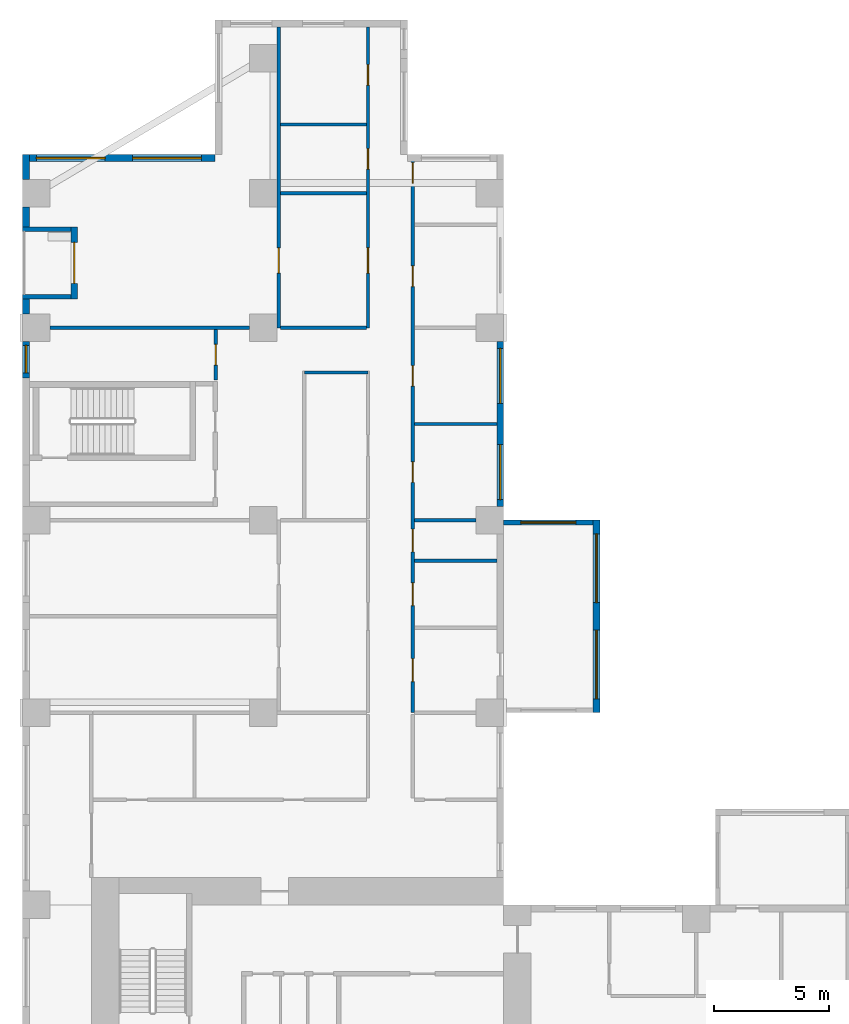
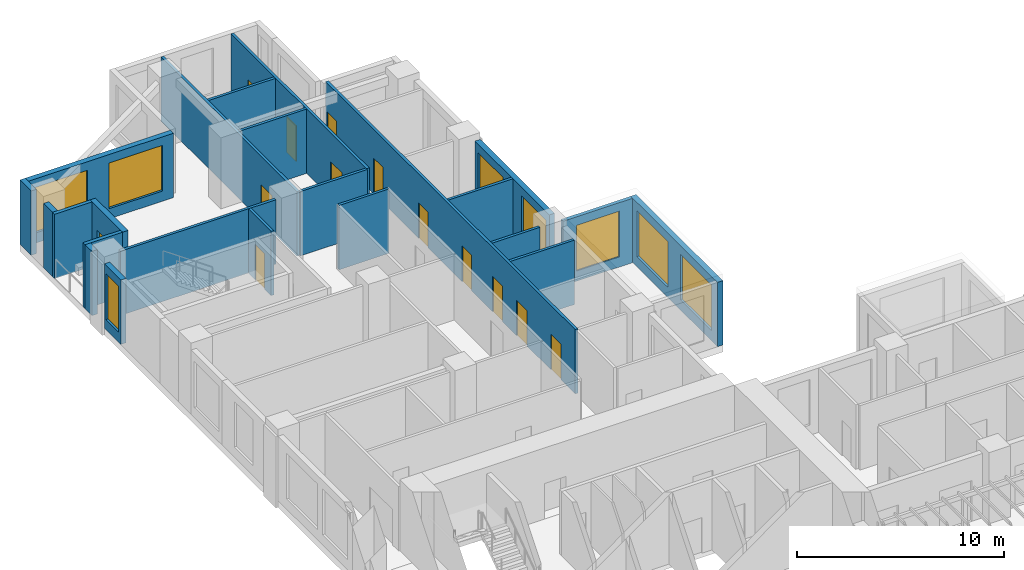
# One storey, part 9 of 16: 23 walls, 13 doors, 8 windows, 21 openings.
"""IFC4 building model written with IfcOpenShell, lengths in metres."""

from ifc_helpers import new_model, si_unit, direction, frame, frame_2d, origin, place, context, subcontext, project, spatial, rectangle, extrude, source, transform, mapped, material, layer, layer_set, type_object, element, fill, save


model = new_model("IFC4")

# Units and contexts
model_context = context("Model", 3, precision=1e-05, world=origin(), true_north=direction((0.0, 1.0)))
body_context = subcontext(model_context, "Body", "Model", "MODEL_VIEW")
ifc_project = project(units=[si_unit("LENGTHUNIT", "METRE"), si_unit("AREAUNIT", "SQUARE_METRE"), si_unit("VOLUMEUNIT", "CUBIC_METRE"), si_unit("PLANEANGLEUNIT", "RADIAN"), si_unit("MASSUNIT", "GRAM", prefix="KILO")], contexts=[model_context])

# Site, building, storey
site_placement = place(None, origin())
site = spatial("IfcSite", under=ifc_project, at=site_placement, CompositionType="ELEMENT")
building_placement = place(site_placement, origin())
building = spatial("IfcBuilding", under=site, at=building_placement, Name="Aurelian Terraces", CompositionType="ELEMENT")
storey_placement = place(building_placement, frame((0.0, 0.0, 95.1)))
storey = spatial("IfcBuildingStorey", under=building, at=storey_placement, Name="L20", CompositionType="ELEMENT", Elevation=95.1)

# Wall
ifc_material_1 = material(Name="Terracotta rainscreen cladding", Category="masonry")
ifc_layer_1 = layer(ifc_material_1, 0.3)
ifc_layer_set_1 = layer_set([ifc_layer_1], Name="EW-300")
wall_type_1 = type_object("IfcWallType", Name="EW-300", PredefinedType="STANDARD", material=ifc_layer_set_1)
wall_1_placement = place(storey_placement, frame((0.15, 51.48, 0.0), z_axis=(0.0, 0.0, 1.0), x_axis=(0.0, -1.0, 0.0)))
element("IfcWall", 1, at=wall_1_placement, inside=storey, type_object=wall_type_1, Name="External wall L20 F18.36", PredefinedType="STANDARD", context=body_context, shape_type="SweptSolid", body=[
    extrude(rectangle(XDim=0.87, YDim=0.3, at=frame_2d((0.435, 0.0))), origin(), (0.0, 0.0, 1.0), 3.8),
])

# Wall, openings, windows
shared_shape_1 = source(origin(), body_context, "Body", "SweptSolid", [
    extrude(rectangle(XDim=7.2, YDim=0.3, at=frame_2d((3.6, 0.0))), origin(), (0.0, 0.0, 1.0), 3.8),
])
wall_2_placement = place(storey_placement, frame((20.85, 38.4, 0.0), z_axis=(0.0, 0.0, 1.0), x_axis=(0.0, 1.0, 0.0)))
wall_2 = element("IfcWall", 2, at=wall_2_placement, inside=storey, type_object=wall_type_1, Name="External wall L20 F12.27", PredefinedType="STANDARD", context=body_context, shape_type="MappedRepresentation", body=[
    mapped(shared_shape_1, transform((0.0, 0.0, 0.0), scale=1.0)),
])
shared_shape_2 = source(origin(), body_context, "Body", "SweptSolid", [
    extrude(rectangle(XDim=2.4, YDim=2.7, at=frame_2d((1.2, 1.35))), frame((0.0, 0.16, 0.0), z_axis=(0.0, -1.0, 0.0), x_axis=(1.0, 0.0, 0.0)), (0.0, 0.0, 1.0), 0.32),
])
opening_1_placement = place(wall_2_placement, frame((0.3, 0.0, 0.6)))
opening_1 = element("IfcOpeningElement", 3, at=opening_1_placement, cuts=wall_2, Name="Opening W2427", PredefinedType="OPENING", context=body_context, shape_type="MappedRepresentation", body=[
    mapped(shared_shape_2, transform((0.0, 0.0, 0.0), scale=1.0)),
])
opening_2_placement = place(wall_2_placement, frame((4.5, 0.0, 0.6)))
opening_2 = element("IfcOpeningElement", 4, at=opening_2_placement, cuts=wall_2, Name="Opening W2427", PredefinedType="OPENING", context=body_context, shape_type="MappedRepresentation", body=[
    mapped(shared_shape_2, transform((0.0, 0.0, 0.0), scale=1.0)),
])
ifc_material_2 = material(Name="Clear glazing", Category="glass")
window_type_1 = type_object("IfcWindowType", Name="W-2400x2700", PartitioningType="SINGLE_PANEL", PredefinedType="WINDOW", material=ifc_material_2)
shared_shape_3 = source(origin(), body_context, "Body", "SweptSolid", [
    extrude(rectangle(XDim=2.4, YDim=2.7, at=frame_2d((1.2, 1.35))), frame((0.0, 0.03, 0.0), z_axis=(0.0, -1.0, 0.0), x_axis=(1.0, 0.0, 0.0)), (0.0, 0.0, 1.0), 0.06),
])
window_1_placement = place(opening_1_placement, origin())
window_1 = element("IfcWindow", 5, at=window_1_placement, inside=storey, type_object=window_type_1, Name="Window L20 L20-F12-27-0", OverallHeight=2.7, OverallWidth=2.4, PartitioningType="SINGLE_PANEL", PredefinedType="WINDOW", context=body_context, shape_type="MappedRepresentation", body=[
    mapped(shared_shape_3, transform((0.0, 0.0, 0.0), scale=1.0)),
])
fill(opening_1, window_1)
window_2_placement = place(opening_2_placement, origin())
window_2 = element("IfcWindow", 6, at=window_2_placement, inside=storey, type_object=window_type_1, Name="Window L20 L20-F12-27-1", OverallHeight=2.7, OverallWidth=2.4, PartitioningType="SINGLE_PANEL", PredefinedType="WINDOW", context=body_context, shape_type="MappedRepresentation", body=[
    mapped(shared_shape_3, transform((0.0, 0.0, 0.0), scale=1.0)),
])
fill(opening_2, window_2)

# Wall, opening, door
shared_shape_4 = source(origin(), body_context, "Body", "SweptSolid", [
    extrude(rectangle(XDim=3.15, YDim=0.3, at=frame_2d((1.575, 0.0))), origin(), (0.0, 0.0, 1.0), 3.8),
])
wall_3_placement = place(storey_placement, frame((2.25, 50.61, 0.0), z_axis=(0.0, 0.0, 1.0), x_axis=(0.0, -1.0, 0.0)))
wall_3 = element("IfcWall", 7, at=wall_3_placement, inside=storey, type_object=wall_type_1, Name="Loggia wall L20 F18.37", PredefinedType="STANDARD", context=body_context, shape_type="MappedRepresentation", body=[
    mapped(shared_shape_4, transform((0.0, 0.0, 0.0), scale=1.0)),
])
shared_shape_5 = source(origin(), body_context, "Body", "SweptSolid", [
    extrude(rectangle(XDim=1.8, YDim=2.4, at=frame_2d((0.9, 1.2))), frame((0.0, 0.16, 0.0), z_axis=(0.0, -1.0, 0.0), x_axis=(1.0, 0.0, 0.0)), (0.0, 0.0, 1.0), 0.32),
])
opening_3_placement = place(wall_3_placement, frame((0.675, 0.0, 0.0)))
opening_3 = element("IfcOpeningElement", 8, at=opening_3_placement, cuts=wall_3, Name="Opening 82006", PredefinedType="OPENING", context=body_context, shape_type="MappedRepresentation", body=[
    mapped(shared_shape_5, transform((0.0, 0.0, 0.0), scale=1.0)),
])
door_type_1 = type_object("IfcDoorType", Name="BD-1800x2400", OperationType="SLIDING_TO_LEFT", PredefinedType="DOOR", material=ifc_material_2)
shared_shape_6 = source(origin(), body_context, "Body", "SweptSolid", [
    extrude(rectangle(XDim=1.8, YDim=2.4, at=frame_2d((0.9, 1.2))), frame((0.0, 0.025, 0.0), z_axis=(0.0, -1.0, 0.0), x_axis=(1.0, 0.0, 0.0)), (0.0, 0.0, 1.0), 0.05),
])
door_1_placement = place(opening_3_placement, origin())
door_1 = element("IfcDoor", 9, at=door_1_placement, inside=storey, type_object=door_type_1, Name="Balcony door L20 F18.37", OperationType="SLIDING_TO_LEFT", OverallHeight=2.4, OverallWidth=1.8, PredefinedType="DOOR", context=body_context, shape_type="MappedRepresentation", body=[
    mapped(shared_shape_6, transform((0.0, 0.0, 0.0), scale=1.0)),
])
fill(opening_3, door_1)

# Walls
ifc_layer_2 = layer(ifc_material_1, 0.2)
ifc_layer_set_2 = layer_set([ifc_layer_2], Name="EW-200")
wall_type_2 = type_object("IfcWallType", Name="EW-200", PredefinedType="STANDARD", material=ifc_layer_set_2)
shared_shape_7 = source(origin(), body_context, "Body", "SweptSolid", [
    extrude(rectangle(XDim=2.1, YDim=0.2, at=frame_2d((1.05, 0.0))), origin(), (0.0, 0.0, 1.0), 3.8),
])
for number, where, z_axis, x_axis, name in (
    (10, (0.0, 50.51, 0.0), (0.0, 0.0, 1.0), (1.0, 0.0, 0.0), "Loggia return L20 F18.37.1"),
    (11, (0.0, 47.56, 0.0), (0.0, 0.0, 1.0), (1.0, 0.0, 0.0), "Loggia return L20 F18.37.2"),
):
    element("IfcWall", number, at=place(storey_placement, frame(where, z_axis=z_axis, x_axis=x_axis)), inside=storey, type_object=wall_type_2, Name=name, PredefinedType="STANDARD", context=body_context, shape_type="MappedRepresentation", body=[
        mapped(shared_shape_7, transform((0.0, 0.0, 0.0), scale=1.0)),
    ])

# Wall, opening, window
shared_shape_8 = source(origin(), body_context, "Body", "SweptSolid", [
    extrude(rectangle(XDim=1.6, YDim=0.3, at=frame_2d((0.8, 0.0))), origin(), (0.0, 0.0, 1.0), 3.8),
])
wall_4_placement = place(storey_placement, frame((0.15, 45.6, 0.0), z_axis=(0.0, 0.0, 1.0), x_axis=(0.0, -1.0, 0.0)))
wall_4 = element("IfcWall", 12, at=wall_4_placement, inside=storey, type_object=wall_type_1, Name="External wall L20 F18.38", PredefinedType="STANDARD", context=body_context, shape_type="MappedRepresentation", body=[
    mapped(shared_shape_8, transform((0.0, 0.0, 0.0), scale=1.0)),
])
shared_shape_9 = source(origin(), body_context, "Body", "SweptSolid", [
    extrude(rectangle(XDim=1.2, YDim=2.7, at=frame_2d((0.6, 1.35))), frame((0.0, 0.16, 0.0), z_axis=(0.0, -1.0, 0.0), x_axis=(1.0, 0.0, 0.0)), (0.0, 0.0, 1.0), 0.32),
])
opening_4_placement = place(wall_4_placement, frame((0.165, 0.0, 0.6)))
opening_4 = element("IfcOpeningElement", 13, at=opening_4_placement, cuts=wall_4, Name="Opening W1227", PredefinedType="OPENING", context=body_context, shape_type="MappedRepresentation", body=[
    mapped(shared_shape_9, transform((0.0, 0.0, 0.0), scale=1.0)),
])
window_type_2 = type_object("IfcWindowType", Name="W-1200x2700", PartitioningType="SINGLE_PANEL", PredefinedType="WINDOW", material=ifc_material_2)
shared_shape_10 = source(origin(), body_context, "Body", "SweptSolid", [
    extrude(rectangle(XDim=1.2, YDim=2.7, at=frame_2d((0.6, 1.35))), frame((0.0, 0.03, 0.0), z_axis=(0.0, -1.0, 0.0), x_axis=(1.0, 0.0, 0.0)), (0.0, 0.0, 1.0), 0.06),
])
window_3_placement = place(opening_4_placement, origin())
window_3 = element("IfcWindow", 14, at=window_3_placement, inside=storey, type_object=window_type_2, Name="Window L20 L20-F18-38-0", OverallHeight=2.7, OverallWidth=1.2, PartitioningType="SINGLE_PANEL", PredefinedType="WINDOW", context=body_context, shape_type="MappedRepresentation", body=[
    mapped(shared_shape_10, transform((0.0, 0.0, 0.0), scale=1.0)),
])
fill(opening_4, window_3)

# Wall
shared_shape_11 = source(origin(), body_context, "Body", "SweptSolid", [
    extrude(rectangle(XDim=1.08, YDim=0.3, at=frame_2d((0.54, 0.0))), origin(), (0.0, 0.0, 1.0), 3.8),
])
wall_5_placement = place(storey_placement, frame((0.15, 53.76, 0.0), z_axis=(0.0, 0.0, 1.0), x_axis=(0.0, -1.0, 0.0)))
element("IfcWall", 15, at=wall_5_placement, inside=storey, type_object=wall_type_1, Name="External wall L20 F18.36", PredefinedType="STANDARD", context=body_context, shape_type="MappedRepresentation", body=[
    mapped(shared_shape_11, transform((0.0, 0.0, 0.0), scale=1.0)),
])

# Wall, opening, window
ifc_material_3 = material(Name="Concrete fc' 40 MPa", Category="concrete")
ifc_layer_3 = layer(ifc_material_3, 0.2)
ifc_layer_set_3 = layer_set([ifc_layer_3], Name="BOX BEARING WALL 200")
wall_type_3 = type_object("IfcWallType", Name="BOX BEARING WALL 200", PredefinedType="SOLIDWALL", material=ifc_layer_set_3)
shared_shape_12 = source(origin(), body_context, "Body", "SweptSolid", [
    extrude(rectangle(XDim=3.9, YDim=0.2, at=frame_2d((1.95, 0.0))), origin(), (0.0, 0.0, 1.0), 3.8),
])
wall_6_placement = place(storey_placement, frame((21.0, 37.7, 0.0), z_axis=(0.0, 0.0, 1.0), x_axis=(1.0, 0.0, 0.0)))
wall_6 = element("IfcWall", 16, at=wall_6_placement, inside=storey, type_object=wall_type_3, Name="Box return L20 J27.2", PredefinedType="SOLIDWALL", context=body_context, shape_type="MappedRepresentation", body=[
    mapped(shared_shape_12, transform((0.0, 0.0, 0.0), scale=1.0)),
])
shared_shape_13 = source(origin(), body_context, "Body", "SweptSolid", [
    extrude(rectangle(XDim=2.4, YDim=2.7, at=frame_2d((1.2, 1.35))), frame((0.0, 0.11, 0.0), z_axis=(0.0, -1.0, 0.0), x_axis=(1.0, 0.0, 0.0)), (0.0, 0.0, 1.0), 0.22),
])
opening_5_placement = place(wall_6_placement, frame((0.75, 0.0, 0.6)))
opening_5 = element("IfcOpeningElement", 17, at=opening_5_placement, cuts=wall_6, Name="Opening W2427", PredefinedType="OPENING", context=body_context, shape_type="MappedRepresentation", body=[
    mapped(shared_shape_13, transform((0.0, 0.0, 0.0), scale=1.0)),
])
window_4_placement = place(opening_5_placement, origin())
window_4 = element("IfcWindow", 18, at=window_4_placement, inside=storey, type_object=window_type_1, Name="Window L20 J27-S2", OverallHeight=2.7, OverallWidth=2.4, PartitioningType="SINGLE_PANEL", PredefinedType="WINDOW", context=body_context, shape_type="MappedRepresentation", body=[
    mapped(shared_shape_3, transform((0.0, 0.0, 0.0), scale=1.0)),
])
fill(opening_5, window_4)

# Wall, openings, windows
ifc_layer_4 = layer(ifc_material_3, 0.3)
ifc_layer_set_4 = layer_set([ifc_layer_4], Name="BOX BEARING WALL 300")
wall_type_4 = type_object("IfcWallType", Name="BOX BEARING WALL 300", PredefinedType="SOLIDWALL", material=ifc_layer_set_4)
shared_shape_14 = source(origin(), body_context, "Body", "SweptSolid", [
    extrude(rectangle(XDim=8.4, YDim=0.3, at=frame_2d((4.2, 0.0))), origin(), (0.0, 0.0, 1.0), 3.8),
])
wall_7_placement = place(storey_placement, frame((25.05, 29.4, 0.0), z_axis=(0.0, 0.0, 1.0), x_axis=(0.0, 1.0, 0.0)))
wall_7 = element("IfcWall", 19, at=wall_7_placement, inside=storey, type_object=wall_type_4, Name="Box wall L20 J27", PredefinedType="SOLIDWALL", context=body_context, shape_type="MappedRepresentation", body=[
    mapped(shared_shape_14, transform((0.0, 0.0, 0.0), scale=1.0)),
])
shared_shape_15 = source(origin(), body_context, "Body", "SweptSolid", [
    extrude(rectangle(XDim=3.0, YDim=2.7, at=frame_2d((1.5, 1.35))), frame((0.0, 0.16, 0.0), z_axis=(0.0, -1.0, 0.0), x_axis=(1.0, 0.0, 0.0)), (0.0, 0.0, 1.0), 0.32),
])
opening_6_placement = place(wall_7_placement, frame((0.6, 0.0, 0.6)))
opening_6 = element("IfcOpeningElement", 20, at=opening_6_placement, cuts=wall_7, Name="Opening W3027", PredefinedType="OPENING", context=body_context, shape_type="MappedRepresentation", body=[
    mapped(shared_shape_15, transform((0.0, 0.0, 0.0), scale=1.0)),
])
opening_7_placement = place(wall_7_placement, frame((4.8, 0.0, 0.6)))
opening_7 = element("IfcOpeningElement", 21, at=opening_7_placement, cuts=wall_7, Name="Opening W3027", PredefinedType="OPENING", context=body_context, shape_type="MappedRepresentation", body=[
    mapped(shared_shape_15, transform((0.0, 0.0, 0.0), scale=1.0)),
])
window_type_3 = type_object("IfcWindowType", Name="W-3000x2700", PartitioningType="SINGLE_PANEL", PredefinedType="WINDOW", material=ifc_material_2)
shared_shape_16 = source(origin(), body_context, "Body", "SweptSolid", [
    extrude(rectangle(XDim=3.0, YDim=2.7, at=frame_2d((1.5, 1.35))), frame((0.0, 0.03, 0.0), z_axis=(0.0, -1.0, 0.0), x_axis=(1.0, 0.0, 0.0)), (0.0, 0.0, 1.0), 0.06),
])
window_5_placement = place(opening_6_placement, origin())
window_5 = element("IfcWindow", 22, at=window_5_placement, inside=storey, type_object=window_type_3, Name="Window L20 J27-F1", OverallHeight=2.7, OverallWidth=3.0, PartitioningType="SINGLE_PANEL", PredefinedType="WINDOW", context=body_context, shape_type="MappedRepresentation", body=[
    mapped(shared_shape_16, transform((0.0, 0.0, 0.0), scale=1.0)),
])
fill(opening_6, window_5)
window_6_placement = place(opening_7_placement, origin())
window_6 = element("IfcWindow", 23, at=window_6_placement, inside=storey, type_object=window_type_3, Name="Window L20 J27-F2", OverallHeight=2.7, OverallWidth=3.0, PartitioningType="SINGLE_PANEL", PredefinedType="WINDOW", context=body_context, shape_type="MappedRepresentation", body=[
    mapped(shared_shape_16, transform((0.0, 0.0, 0.0), scale=1.0)),
])
fill(opening_7, window_6)

shared_shape_17 = source(origin(), body_context, "Body", "SweptSolid", [
    extrude(rectangle(XDim=8.4, YDim=0.3, at=frame_2d((4.2, 0.0))), origin(), (0.0, 0.0, 1.0), 3.8),
])
wall_8_placement = place(storey_placement, frame((8.4, 53.61, 0.0), z_axis=(0.0, 0.0, 1.0), x_axis=(-1.0, 0.0, 0.0)))
wall_8 = element("IfcWall", 24, at=wall_8_placement, inside=storey, type_object=wall_type_1, Name="External wall L20 F17.35", PredefinedType="STANDARD", context=body_context, shape_type="MappedRepresentation", body=[
    mapped(shared_shape_17, transform((0.0, 0.0, 0.0), scale=1.0)),
])
opening_8_placement = place(wall_8_placement, frame((0.6, 0.0, 0.6)))
opening_8 = element("IfcOpeningElement", 25, at=opening_8_placement, cuts=wall_8, Name="Opening W3027", PredefinedType="OPENING", context=body_context, shape_type="MappedRepresentation", body=[
    mapped(shared_shape_15, transform((0.0, 0.0, 0.0), scale=1.0)),
])
opening_9_placement = place(wall_8_placement, frame((4.8, 0.0, 0.6)))
opening_9 = element("IfcOpeningElement", 26, at=opening_9_placement, cuts=wall_8, Name="Opening W3027", PredefinedType="OPENING", context=body_context, shape_type="MappedRepresentation", body=[
    mapped(shared_shape_15, transform((0.0, 0.0, 0.0), scale=1.0)),
])
window_7_placement = place(opening_8_placement, origin())
window_7 = element("IfcWindow", 27, at=window_7_placement, inside=storey, type_object=window_type_3, Name="Window L20 L20-F17-35-0", OverallHeight=2.7, OverallWidth=3.0, PartitioningType="SINGLE_PANEL", PredefinedType="WINDOW", context=body_context, shape_type="MappedRepresentation", body=[
    mapped(shared_shape_16, transform((0.0, 0.0, 0.0), scale=1.0)),
])
fill(opening_8, window_7)
window_8_placement = place(opening_9_placement, origin())
window_8 = element("IfcWindow", 28, at=window_8_placement, inside=storey, type_object=window_type_3, Name="Window L20 L20-F17-35-1", OverallHeight=2.7, OverallWidth=3.0, PartitioningType="SINGLE_PANEL", PredefinedType="WINDOW", context=body_context, shape_type="MappedRepresentation", body=[
    mapped(shared_shape_16, transform((0.0, 0.0, 0.0), scale=1.0)),
])
fill(opening_9, window_8)

# Walls
shared_shape_18 = source(origin(), body_context, "Body", "SweptSolid", [
    extrude(rectangle(XDim=0.66, YDim=0.3, at=frame_2d((0.33, 0.0))), origin(), (0.0, 0.0, 1.0), 3.8),
])
wall_9_placement = place(storey_placement, frame((0.15, 47.46, 0.0), z_axis=(0.0, 0.0, 1.0), x_axis=(0.0, -1.0, 0.0)))
element("IfcWall", 29, at=wall_9_placement, inside=storey, type_object=wall_type_1, Name="External wall L20 F18.38", PredefinedType="STANDARD", context=body_context, shape_type="MappedRepresentation", body=[
    mapped(shared_shape_18, transform((0.0, 0.0, 0.0), scale=1.0)),
])
ifc_material_4 = material(Name="Gypsum board on steel studs", Category="steel")
ifc_layer_5 = layer(ifc_material_4, 0.15)
ifc_layer_set_5 = layer_set([ifc_layer_5], Name="Partition 150")
wall_type_5 = type_object("IfcWallType", Name="Partition 150", PredefinedType="PARTITIONING", material=ifc_layer_set_5)
shared_shape_19 = source(origin(), body_context, "Body", "SweptSolid", [
    extrude(rectangle(XDim=3.75, YDim=0.15, at=frame_2d((1.875, 0.0))), origin(), (0.0, 0.0, 1.0), 3.8),
])
for number, where, z_axis, x_axis, name in (
    (30, (15.0, 52.08, 0.0), (0.0, 0.0, 1.0), (-1.0, 0.0, 0.0), "Partition"),
    (31, (15.0, 55.0768, 0.0), (0.0, 0.0, 1.0), (-1.0, 0.0, 0.0), "Partition"),
    (32, (15.0, 46.2, 0.0), (0.0, 0.0, 1.0), (-1.0, 0.0, 0.0), "Partition"),
):
    element("IfcWall", number, at=place(storey_placement, frame(where, z_axis=z_axis, x_axis=x_axis)), inside=storey, type_object=wall_type_5, Name=name, PredefinedType="PARTITIONING", context=body_context, shape_type="MappedRepresentation", body=[
        mapped(shared_shape_19, transform((0.0, 0.0, 0.0), scale=1.0)),
    ])
shared_shape_20 = source(origin(), body_context, "Body", "SweptSolid", [
    extrude(rectangle(XDim=8.702, YDim=0.15, at=frame_2d((4.351, 0.0))), origin(), (0.0, 0.0, 1.0), 3.8),
])
wall_10_placement = place(storey_placement, frame((9.901, 46.2, 0.0), z_axis=(0.0, 0.0, 1.0), x_axis=(-1.0, 0.0, 0.0)))
element("IfcWall", 33, at=wall_10_placement, inside=storey, type_object=wall_type_5, Name="Partition", PredefinedType="PARTITIONING", context=body_context, shape_type="MappedRepresentation", body=[
    mapped(shared_shape_20, transform((0.0, 0.0, 0.0), scale=1.0)),
])
shared_shape_21 = source(origin(), body_context, "Body", "SweptSolid", [
    extrude(rectangle(XDim=3.6, YDim=0.15, at=frame_2d((1.8, 0.0))), origin(), (0.0, 0.0, 1.0), 3.8),
])
for number, where, z_axis, x_axis, name in (
    (34, (17.1, 36.024, 0.0), (0.0, 0.0, 1.0), (1.0, 0.0, 0.0), "Partition"),
    (35, (17.1, 42.0, 0.0), (0.0, 0.0, 1.0), (1.0, 0.0, 0.0), "Partition"),
):
    element("IfcWall", number, at=place(storey_placement, frame(where, z_axis=z_axis, x_axis=x_axis)), inside=storey, type_object=wall_type_5, Name=name, PredefinedType="PARTITIONING", context=body_context, shape_type="MappedRepresentation", body=[
        mapped(shared_shape_21, transform((0.0, 0.0, 0.0), scale=1.0)),
    ])
shared_shape_22 = source(origin(), body_context, "Body", "SweptSolid", [
    extrude(rectangle(XDim=2.701, YDim=0.15, at=frame_2d((1.3505, 0.0))), origin(), (0.0, 0.0, 1.0), 3.8),
])
wall_11_placement = place(storey_placement, frame((19.801, 37.8, 0.0), z_axis=(0.0, 0.0, 1.0), x_axis=(-1.0, 0.0, 0.0)))
element("IfcWall", 36, at=wall_11_placement, inside=storey, type_object=wall_type_5, Name="Partition", PredefinedType="PARTITIONING", context=body_context, shape_type="MappedRepresentation", body=[
    mapped(shared_shape_22, transform((0.0, 0.0, 0.0), scale=1.0)),
])

# Wall, opening, door
shared_shape_23 = source(origin(), body_context, "Body", "SweptSolid", [
    extrude(rectangle(XDim=2.2, YDim=0.15, at=frame_2d((1.1, 0.0))), origin(), (0.0, 0.0, 1.0), 3.8),
])
wall_12_placement = place(storey_placement, frame((8.425, 43.925, 0.0), z_axis=(0.0, 0.0, 1.0), x_axis=(0.0, 1.0, 0.0)))
wall_12 = element("IfcWall", 37, at=wall_12_placement, inside=storey, type_object=wall_type_5, Name="Partition", PredefinedType="PARTITIONING", context=body_context, shape_type="MappedRepresentation", body=[
    mapped(shared_shape_23, transform((0.0, 0.0, 0.0), scale=1.0)),
])
shared_shape_24 = source(origin(), body_context, "Body", "SweptSolid", [
    extrude(rectangle(XDim=0.9, YDim=2.1, at=frame_2d((0.45, 1.05))), frame((0.0, 0.085, 0.0), z_axis=(0.0, -1.0, 0.0), x_axis=(1.0, 0.0, 0.0)), (0.0, 0.0, 1.0), 0.17),
])
opening_10_placement = place(wall_12_placement, frame((0.65, 0.0, 0.0)))
opening_10 = element("IfcOpeningElement", 38, at=opening_10_placement, cuts=wall_12, Name="Opening 720029", PredefinedType="OPENING", context=body_context, shape_type="MappedRepresentation", body=[
    mapped(shared_shape_24, transform((0.0, 0.0, 0.0), scale=1.0)),
])
ifc_material_5 = material(Name="Timber door leaf", Category="wood")
door_type_2 = type_object("IfcDoorType", Name="Room door 900x2100 left", OperationType="SINGLE_SWING_LEFT", PredefinedType="DOOR", material=ifc_material_5)
shared_shape_25 = source(origin(), body_context, "Body", "SweptSolid", [
    extrude(rectangle(XDim=0.9, YDim=2.1, at=frame_2d((0.45, 1.05))), frame((0.0, 0.025, 0.0), z_axis=(0.0, -1.0, 0.0), x_axis=(1.0, 0.0, 0.0)), (0.0, 0.0, 1.0), 0.05),
])
door_2_placement = place(opening_10_placement, origin())
door_2 = element("IfcDoor", 39, at=door_2_placement, inside=storey, type_object=door_type_2, Name="Door 720029", OperationType="SINGLE_SWING_LEFT", OverallHeight=2.1, OverallWidth=0.9, PredefinedType="DOOR", context=body_context, shape_type="MappedRepresentation", body=[
    mapped(shared_shape_25, transform((0.0, 0.0, 0.0), scale=1.0)),
])
fill(opening_10, door_2)

# Wall
shared_shape_26 = source(origin(), body_context, "Body", "SweptSolid", [
    extrude(rectangle(XDim=2.775, YDim=0.15, at=frame_2d((1.3875, 0.0))), origin(), (0.0, 0.0, 1.0), 3.8),
])
wall_13_placement = place(storey_placement, frame((15.075, 44.25, 0.0), z_axis=(0.0, 0.0, 1.0), x_axis=(-1.0, 0.0, 0.0)))
element("IfcWall", 40, at=wall_13_placement, inside=storey, type_object=wall_type_5, Name="Partition", PredefinedType="PARTITIONING", context=body_context, shape_type="MappedRepresentation", body=[
    mapped(shared_shape_26, transform((0.0, 0.0, 0.0), scale=1.0)),
])

# Wall, opening, door
shared_shape_27 = source(origin(), body_context, "Body", "SweptSolid", [
    extrude(rectangle(XDim=13.14, YDim=0.15, at=frame_2d((6.57, 0.0))), origin(), (0.0, 0.0, 1.0), 3.8),
])
wall_14_placement = place(storey_placement, frame((11.175, 46.2, 0.0), z_axis=(0.0, 0.0, 1.0), x_axis=(0.0, 1.0, 0.0)))
wall_14 = element("IfcWall", 41, at=wall_14_placement, inside=storey, type_object=wall_type_5, Name="Partition", PredefinedType="PARTITIONING", context=body_context, shape_type="MappedRepresentation", body=[
    mapped(shared_shape_27, transform((0.0, 0.0, 0.0), scale=1.0)),
])
shared_shape_28 = source(origin(), body_context, "Body", "SweptSolid", [
    extrude(rectangle(XDim=1.1, YDim=2.1, at=frame_2d((0.55, 1.05))), frame((0.0, 0.085, 0.0), z_axis=(0.0, -1.0, 0.0), x_axis=(1.0, 0.0, 0.0)), (0.0, 0.0, 1.0), 0.17),
])
opening_11_placement = place(wall_14_placement, frame((2.3875, 0.0, 0.0)))
opening_11 = element("IfcOpeningElement", 42, at=opening_11_placement, cuts=wall_14, Name="Opening 720034", PredefinedType="OPENING", context=body_context, shape_type="MappedRepresentation", body=[
    mapped(shared_shape_28, transform((0.0, 0.0, 0.0), scale=1.0)),
])
door_type_3 = type_object("IfcDoorType", Name="Room door 1100x2100 left", OperationType="SINGLE_SWING_LEFT", PredefinedType="DOOR", material=ifc_material_5)
shared_shape_29 = source(origin(), body_context, "Body", "SweptSolid", [
    extrude(rectangle(XDim=1.1, YDim=2.1, at=frame_2d((0.55, 1.05))), frame((0.0, 0.025, 0.0), z_axis=(0.0, -1.0, 0.0), x_axis=(1.0, 0.0, 0.0)), (0.0, 0.0, 1.0), 0.05),
])
door_3_placement = place(opening_11_placement, origin())
door_3 = element("IfcDoor", 43, at=door_3_placement, inside=storey, type_object=door_type_3, Name="Door 720034", OperationType="SINGLE_SWING_LEFT", OverallHeight=2.1, OverallWidth=1.1, PredefinedType="DOOR", context=body_context, shape_type="MappedRepresentation", body=[
    mapped(shared_shape_29, transform((0.0, 0.0, 0.0), scale=1.0)),
])
fill(opening_11, door_3)

# Wall, openings, doors
ifc_layer_6 = layer(ifc_material_4, 0.15)
ifc_layer_set_6 = layer_set([ifc_layer_6], Name="Fire partition 150")
wall_type_6 = type_object("IfcWallType", Name="Fire partition 150", PredefinedType="PARTITIONING", material=ifc_layer_set_6)
wall_15_placement = place(storey_placement, frame((15.075, 46.2, 0.0), z_axis=(0.0, 0.0, 1.0), x_axis=(0.0, 1.0, 0.0)))
wall_15 = element("IfcWall", 44, at=wall_15_placement, inside=storey, type_object=wall_type_6, Name="Corridor wall", PredefinedType="PARTITIONING", context=body_context, shape_type="MappedRepresentation", body=[
    mapped(shared_shape_27, transform((0.0, 0.0, 0.0), scale=1.0)),
])
opening_12_placement = place(wall_15_placement, frame((2.39, 0.0, 0.0)))
opening_12 = element("IfcOpeningElement", 45, at=opening_12_placement, cuts=wall_15, Name="Opening 720033", PredefinedType="OPENING", context=body_context, shape_type="MappedRepresentation", body=[
    mapped(shared_shape_28, transform((0.0, 0.0, 0.0), scale=1.0)),
])
opening_13_placement = place(wall_15_placement, frame((6.9284, 0.0, 0.0)))
opening_13 = element("IfcOpeningElement", 46, at=opening_13_placement, cuts=wall_15, Name="Opening 720035", PredefinedType="OPENING", context=body_context, shape_type="MappedRepresentation", body=[
    mapped(shared_shape_24, transform((0.0, 0.0, 0.0), scale=1.0)),
])
opening_14_placement = place(wall_15_placement, frame((10.5959, 0.0, 0.0)))
opening_14 = element("IfcOpeningElement", 47, at=opening_14_placement, cuts=wall_15, Name="Opening 720036", PredefinedType="OPENING", context=body_context, shape_type="MappedRepresentation", body=[
    mapped(shared_shape_24, transform((0.0, 0.0, 0.0), scale=1.0)),
])
door_type_4 = type_object("IfcDoorType", Name="Room door 900x2100 right", OperationType="SINGLE_SWING_RIGHT", PredefinedType="DOOR", material=ifc_material_5)
door_4_placement = place(opening_13_placement, origin())
door_4 = element("IfcDoor", 48, at=door_4_placement, inside=storey, type_object=door_type_4, Name="Door 720035", OperationType="SINGLE_SWING_RIGHT", OverallHeight=2.1, OverallWidth=0.9, PredefinedType="DOOR", context=body_context, shape_type="MappedRepresentation", body=[
    mapped(shared_shape_25, transform((0.0, 0.0, 0.0), scale=1.0)),
])
fill(opening_13, door_4)
door_5_placement = place(opening_14_placement, origin())
door_5 = element("IfcDoor", 49, at=door_5_placement, inside=storey, type_object=door_type_2, Name="Door 720036", OperationType="SINGLE_SWING_LEFT", OverallHeight=2.1, OverallWidth=0.9, PredefinedType="DOOR", context=body_context, shape_type="MappedRepresentation", body=[
    mapped(shared_shape_25, transform((0.0, 0.0, 0.0), scale=1.0)),
])
fill(opening_14, door_5)
door_type_5 = type_object("IfcDoorType", Name="Room door 1100x2100 right", OperationType="SINGLE_SWING_RIGHT", PredefinedType="DOOR", material=ifc_material_5)
door_6_placement = place(opening_12_placement, origin())
door_6 = element("IfcDoor", 50, at=door_6_placement, inside=storey, type_object=door_type_5, Name="Door 720033", OperationType="SINGLE_SWING_RIGHT", OverallHeight=2.1, OverallWidth=1.1, PredefinedType="DOOR", context=body_context, shape_type="MappedRepresentation", body=[
    mapped(shared_shape_29, transform((0.0, 0.0, 0.0), scale=1.0)),
])
fill(opening_12, door_6)

shared_shape_30 = source(origin(), body_context, "Body", "SweptSolid", [
    extrude(rectangle(XDim=24.155, YDim=0.15, at=frame_2d((12.0775, 0.0))), origin(), (0.0, 0.0, 1.0), 3.8),
])
wall_16_placement = place(storey_placement, frame((17.025, 53.555, 0.0), z_axis=(0.0, 0.0, 1.0), x_axis=(0.0, -1.0, 0.0)))
wall_16 = element("IfcWall", 51, at=wall_16_placement, inside=storey, type_object=wall_type_6, Name="Corridor wall", PredefinedType="PARTITIONING", context=body_context, shape_type="MappedRepresentation", body=[
    mapped(shared_shape_30, transform((0.0, 0.0, 0.0), scale=1.0)),
])
shared_shape_31 = source(origin(), body_context, "Body", "SweptSolid", [
    extrude(rectangle(XDim=1.0, YDim=2.1, at=frame_2d((0.5, 1.05))), frame((0.0, 0.085, 0.0), z_axis=(0.0, -1.0, 0.0), x_axis=(1.0, 0.0, 0.0)), (0.0, 0.0, 1.0), 0.17),
])
opening_15_placement = place(wall_16_placement, frame((21.7983, 0.0, 0.0)))
opening_15 = element("IfcOpeningElement", 52, at=opening_15_placement, cuts=wall_16, Name="Opening 720037", PredefinedType="OPENING", context=body_context, shape_type="MappedRepresentation", body=[
    mapped(shared_shape_31, transform((0.0, 0.0, 0.0), scale=1.0)),
])
opening_16_placement = place(wall_16_placement, frame((18.4864, 0.0, 0.0)))
opening_16 = element("IfcOpeningElement", 53, at=opening_16_placement, cuts=wall_16, Name="Opening 720038", PredefinedType="OPENING", context=body_context, shape_type="MappedRepresentation", body=[
    mapped(shared_shape_31, transform((0.0, 0.0, 0.0), scale=1.0)),
])
opening_17_placement = place(wall_16_placement, frame((16.143, 0.0, 0.0)))
opening_17 = element("IfcOpeningElement", 54, at=opening_17_placement, cuts=wall_16, Name="Opening 720039", PredefinedType="OPENING", context=body_context, shape_type="MappedRepresentation", body=[
    mapped(shared_shape_31, transform((0.0, 0.0, 0.0), scale=1.0)),
])
opening_18_placement = place(wall_16_placement, frame((13.205, 0.0, 0.0)))
opening_18 = element("IfcOpeningElement", 55, at=opening_18_placement, cuts=wall_16, Name="Opening 720040", PredefinedType="OPENING", context=body_context, shape_type="MappedRepresentation", body=[
    mapped(shared_shape_24, transform((0.0, 0.0, 0.0), scale=1.0)),
])
opening_19_placement = place(wall_16_placement, frame((9.005, 0.0, 0.0)))
opening_19 = element("IfcOpeningElement", 56, at=opening_19_placement, cuts=wall_16, Name="Opening 720041", PredefinedType="OPENING", context=body_context, shape_type="MappedRepresentation", body=[
    mapped(shared_shape_24, transform((0.0, 0.0, 0.0), scale=1.0)),
])
opening_20_placement = place(wall_16_placement, frame((4.6512, 0.0, 0.0)))
opening_20 = element("IfcOpeningElement", 57, at=opening_20_placement, cuts=wall_16, Name="Opening 720042", PredefinedType="OPENING", context=body_context, shape_type="MappedRepresentation", body=[
    mapped(shared_shape_24, transform((0.0, 0.0, 0.0), scale=1.0)),
])
opening_21_placement = place(wall_16_placement, frame((0.1438, 0.0, 0.0)))
opening_21 = element("IfcOpeningElement", 58, at=opening_21_placement, cuts=wall_16, Name="Opening 720043", PredefinedType="OPENING", context=body_context, shape_type="MappedRepresentation", body=[
    mapped(shared_shape_24, transform((0.0, 0.0, 0.0), scale=1.0)),
])
door_type_6 = type_object("IfcDoorType", Name="Room door 1000x2100 right", OperationType="SINGLE_SWING_RIGHT", PredefinedType="DOOR", material=ifc_material_5)
shared_shape_32 = source(origin(), body_context, "Body", "SweptSolid", [
    extrude(rectangle(XDim=1.0, YDim=2.1, at=frame_2d((0.5, 1.05))), frame((0.0, 0.025, 0.0), z_axis=(0.0, -1.0, 0.0), x_axis=(1.0, 0.0, 0.0)), (0.0, 0.0, 1.0), 0.05),
])
door_7_placement = place(opening_15_placement, origin())
door_7 = element("IfcDoor", 59, at=door_7_placement, inside=storey, type_object=door_type_6, Name="Door 720037", OperationType="SINGLE_SWING_RIGHT", OverallHeight=2.1, OverallWidth=1.0, PredefinedType="DOOR", context=body_context, shape_type="MappedRepresentation", body=[
    mapped(shared_shape_32, transform((0.0, 0.0, 0.0), scale=1.0)),
])
fill(opening_15, door_7)
door_type_7 = type_object("IfcDoorType", Name="Room door 1000x2100 left", OperationType="SINGLE_SWING_LEFT", PredefinedType="DOOR", material=ifc_material_5)
door_8_placement = place(opening_16_placement, origin())
door_8 = element("IfcDoor", 60, at=door_8_placement, inside=storey, type_object=door_type_7, Name="Door 720038", OperationType="SINGLE_SWING_LEFT", OverallHeight=2.1, OverallWidth=1.0, PredefinedType="DOOR", context=body_context, shape_type="MappedRepresentation", body=[
    mapped(shared_shape_32, transform((0.0, 0.0, 0.0), scale=1.0)),
])
fill(opening_16, door_8)
door_9_placement = place(opening_17_placement, origin())
door_9 = element("IfcDoor", 61, at=door_9_placement, inside=storey, type_object=door_type_6, Name="Door 720039", OperationType="SINGLE_SWING_RIGHT", OverallHeight=2.1, OverallWidth=1.0, PredefinedType="DOOR", context=body_context, shape_type="MappedRepresentation", body=[
    mapped(shared_shape_32, transform((0.0, 0.0, 0.0), scale=1.0)),
])
fill(opening_17, door_9)
door_10_placement = place(opening_18_placement, origin())
door_10 = element("IfcDoor", 62, at=door_10_placement, inside=storey, type_object=door_type_4, Name="Door 720040", OperationType="SINGLE_SWING_RIGHT", OverallHeight=2.1, OverallWidth=0.9, PredefinedType="DOOR", context=body_context, shape_type="MappedRepresentation", body=[
    mapped(shared_shape_25, transform((0.0, 0.0, 0.0), scale=1.0)),
])
fill(opening_18, door_10)
door_11_placement = place(opening_19_placement, origin())
door_11 = element("IfcDoor", 63, at=door_11_placement, inside=storey, type_object=door_type_2, Name="Door 720041", OperationType="SINGLE_SWING_LEFT", OverallHeight=2.1, OverallWidth=0.9, PredefinedType="DOOR", context=body_context, shape_type="MappedRepresentation", body=[
    mapped(shared_shape_25, transform((0.0, 0.0, 0.0), scale=1.0)),
])
fill(opening_19, door_11)
door_12_placement = place(opening_20_placement, origin())
door_12 = element("IfcDoor", 64, at=door_12_placement, inside=storey, type_object=door_type_4, Name="Door 720042", OperationType="SINGLE_SWING_RIGHT", OverallHeight=2.1, OverallWidth=0.9, PredefinedType="DOOR", context=body_context, shape_type="MappedRepresentation", body=[
    mapped(shared_shape_25, transform((0.0, 0.0, 0.0), scale=1.0)),
])
fill(opening_20, door_12)
door_13_placement = place(opening_21_placement, origin())
door_13 = element("IfcDoor", 65, at=door_13_placement, inside=storey, type_object=door_type_2, Name="Door 720043", OperationType="SINGLE_SWING_LEFT", OverallHeight=2.1, OverallWidth=0.9, PredefinedType="DOOR", context=body_context, shape_type="MappedRepresentation", body=[
    mapped(shared_shape_25, transform((0.0, 0.0, 0.0), scale=1.0)),
])
fill(opening_21, door_13)

save(model, "model.ifc")
